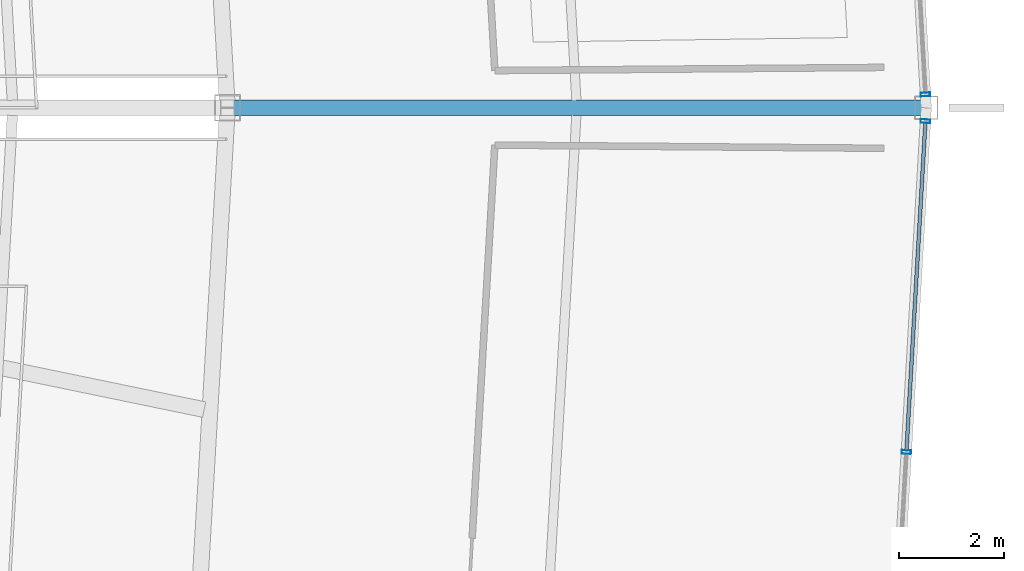
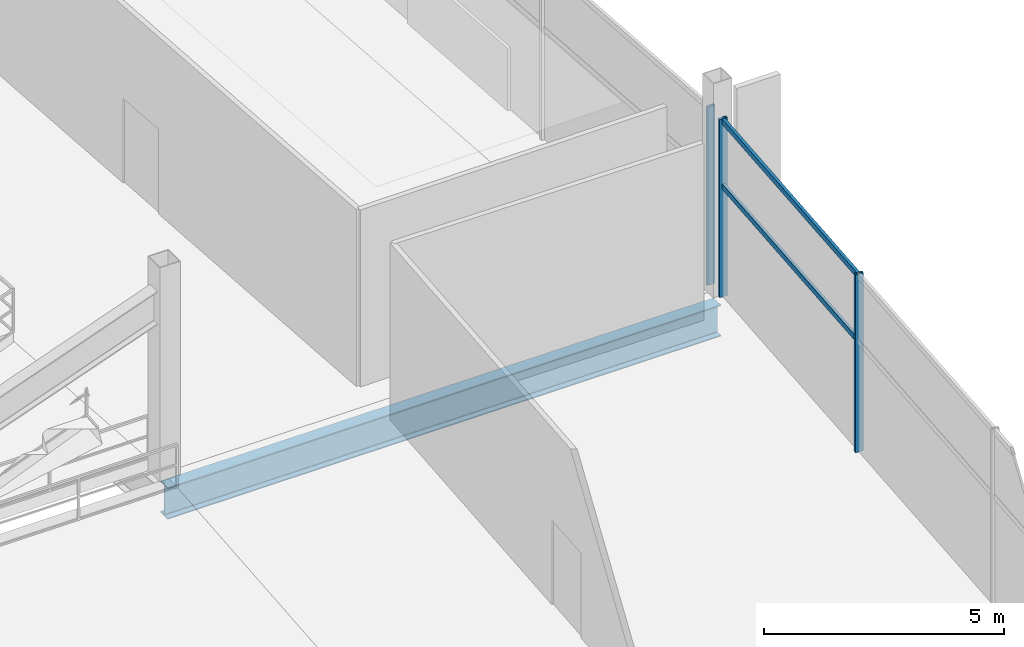
# One storey, part 73 of 186: 5 members, 1 beam, 2 elements without a shape of their own.
"""IFC4 building model written with IfcOpenShell, lengths in metres."""

from ifc_helpers import new_model, si_unit, direction, frame, origin, origin_2d, place, context, subcontext, project, spatial, hollow_rectangle, i_section, extrude, material, layer, layer_set, material_profile, profile_set, type_object, element, aggregate, save


model = new_model("IFC4")

# Units and contexts
model_context = context("Model", 3, precision=1e-05, world=origin(), true_north=direction((0.0, 1.0)))
body_context = subcontext(model_context, "Body", "Model", "MODEL_VIEW")
ifc_project = project(units=[si_unit("LENGTHUNIT", "METRE"), si_unit("AREAUNIT", "SQUARE_METRE"), si_unit("VOLUMEUNIT", "CUBIC_METRE"), si_unit("PLANEANGLEUNIT", "RADIAN"), si_unit("MASSUNIT", "GRAM", prefix="KILO")], contexts=[model_context])

# Site, building, storey
site_placement = place(None, origin())
site = spatial("IfcSite", under=ifc_project, at=site_placement, CompositionType="ELEMENT")
building_placement = place(site_placement, origin())
building = spatial("IfcBuilding", under=site, at=building_placement, Name="Kazemori Nagisa Stadium", CompositionType="ELEMENT")
storey_placement = place(building_placement, frame((0.0, 0.0, 20.39990234375)))
storey = spatial("IfcBuildingStorey", under=building, at=storey_placement, Name="L04", CompositionType="ELEMENT", Elevation=20.39990234375)

# Beam
ifc_material_1 = material(Name="Steel SN490B", Category="steel")
ifc_material_profile_1 = material_profile(ifc_material_1, i_section(OverallWidth=0.300048828125, OverallDepth=0.800048828125, WebThickness=0.013916015625, FlangeThickness=0.02587890625, FilletRadius=0.01806640625, at=origin_2d()), Name="H-800x300x14x26")
ifc_profile_set_1 = profile_set([ifc_material_profile_1], Name="Steel SN490B")
beam_type = type_object("IfcBeamType", Name="Beam_BG-H800", PredefinedType="BEAM", material=ifc_profile_set_1)
beam_placement = place(storey_placement, frame((204.699951171875, 102.0, -0.699951171875), z_axis=(1.0, 0.0, 0.0), x_axis=(0.0, 1.0, 0.0)))
element("IfcBeam", 1, at=beam_placement, inside=storey, type_object=beam_type, Name="Radial girder BG-H800 L04 R2-R3-01", PredefinedType="BEAM", context=body_context, shape_type="SweptSolid", body=[
    extrude(i_section(OverallWidth=0.300048828125, OverallDepth=0.800048828125, WebThickness=0.013916015625, FlangeThickness=0.02587890625, FilletRadius=0.01806640625, at=origin_2d()), origin(), (0.0, 0.0, 1.0), 13.300048828125),
])

# Curtain wall, member
ifc_material_2 = material(Name="Anodised aluminium 6063-T5", Category="aluminium")
ifc_layer = layer(ifc_material_2, 0.179931640625, Name="Anodised aluminium 6063-T5", Category="aluminium")
ifc_layer_set = layer_set([ifc_layer], Name="Anodised aluminium 6063-T5")
curtain_wall_type = type_object("IfcCurtainWallType", Name="CW_L04R3_95", PredefinedType="USERDEFINED", material=ifc_layer_set)
curtain_wall_1_placement = place(storey_placement, origin())
curtain_wall_1 = element("IfcCurtainWall", 2, at=curtain_wall_1_placement, inside=storey, type_object=curtain_wall_type, Name="Unitised curtain wall CW-L04R3-95 L04", ObjectType="UNITISED CURTAIN WALL", PredefinedType="USERDEFINED")
ifc_material_3 = material(Name="Aluminium 6063-T5 anodised", Category="aluminium")
ifc_material_profile_2 = material_profile(ifc_material_3, hollow_rectangle(XDim=0.070068359375, YDim=0.179931640625, WallThickness=0.00390625, at=origin_2d()), Name="ALU-MULL-70x180x4")
ifc_profile_set_2 = profile_set([ifc_material_profile_2], Name="Aluminium 6063-T5 anodised")
member_type_1 = type_object("IfcMemberType", Name="Mullion_M01", PredefinedType="MULLION", material=ifc_profile_set_2)
member_1_placement = place(storey_placement, frame((217.9853515625, 102.254638671875, 0.0), z_axis=(0.0, 0.0, 1.0), x_axis=(-0.057601670941, 0.998339645364, 0.0)))
member_1 = element("IfcMember", 3, at=member_1_placement, type_object=member_type_1, Name="Curtain wall mullion CW-L04R3-95-M1", PredefinedType="MULLION", context=body_context, shape_type="SweptSolid", body=[
    extrude(hollow_rectangle(XDim=0.070068359375, YDim=0.179931640625, WallThickness=0.00390625, at=origin_2d()), origin(), (0.0, 0.0, 1.0), 4.530029296875),
])
aggregate(curtain_wall_1, [member_1])

# Curtain wall, members
curtain_wall_2_placement = place(storey_placement, origin())
curtain_wall_2 = element("IfcCurtainWall", 4, at=curtain_wall_2_placement, inside=storey, type_object=curtain_wall_type, Name="Unitised curtain wall CW-L04R3-95 L04", ObjectType="UNITISED CURTAIN WALL", PredefinedType="USERDEFINED")
member_2_placement = place(storey_placement, frame((217.6220703125, 95.44921875, 0.0), z_axis=(0.0, 0.0, 1.0), x_axis=(0.057601670941, 0.998339645364, 0.0)))
member_2 = element("IfcMember", 5, at=member_2_placement, type_object=member_type_1, Name="Curtain wall mullion CW-L04R3-95-M3", PredefinedType="MULLION", context=body_context, shape_type="SweptSolid", body=[
    extrude(hollow_rectangle(XDim=0.070068359375, YDim=0.179931640625, WallThickness=0.00390625, at=origin_2d()), origin(), (0.0, 0.0, 1.0), 4.530029296875),
])
member_3_placement = place(storey_placement, frame((217.9853515625, 101.745361328125, 0.0), z_axis=(0.0, 0.0, 1.0), x_axis=(0.057601670941, 0.998339645364, 0.0)))
member_3 = element("IfcMember", 6, at=member_3_placement, type_object=member_type_1, Name="Curtain wall mullion CW-L04R3-95-M4", PredefinedType="MULLION", context=body_context, shape_type="SweptSolid", body=[
    extrude(hollow_rectangle(XDim=0.070068359375, YDim=0.179931640625, WallThickness=0.00390625, at=origin_2d()), origin(), (0.0, 0.0, 1.0), 4.530029296875),
])
ifc_material_profile_3 = material_profile(ifc_material_3, hollow_rectangle(XDim=0.070068359375, YDim=0.139892578125, WallThickness=0.00390625, at=origin_2d()), Name="ALU-TRAN-70x140x4")
ifc_profile_set_3 = profile_set([ifc_material_profile_3], Name="Aluminium 6063-T5 anodised")
member_type_2 = type_object("IfcMemberType", Name="Transom_T01", PredefinedType="USERDEFINED", material=ifc_profile_set_3)
member_4_placement = place(storey_placement, frame((217.623291015625, 95.46923828125, 2.80859375), z_axis=(0.057582347061, 0.998340760115, 0.0), x_axis=(-0.998340760115, 0.057582347061, 0.0)))
member_4 = element("IfcMember", 7, at=member_4_placement, type_object=member_type_2, Name="Curtain wall transom CW-L04R3-95-T3-mid", ObjectType="TRANSOM", PredefinedType="USERDEFINED", context=body_context, shape_type="SweptSolid", body=[
    extrude(hollow_rectangle(XDim=0.070068359375, YDim=0.139892578125, WallThickness=0.00390625, at=origin_2d()), origin(), (0.0, 0.0, 1.0), 6.2666015625),
])
member_5_placement = place(storey_placement, frame((217.623291015625, 95.46923828125, 4.460205078125), z_axis=(0.057582347061, 0.998340760115, 0.0), x_axis=(-0.998340760115, 0.057582347061, 0.0)))
member_5 = element("IfcMember", 8, at=member_5_placement, type_object=member_type_2, Name="Curtain wall transom CW-L04R3-95-T3-head", ObjectType="TRANSOM", PredefinedType="USERDEFINED", context=body_context, shape_type="SweptSolid", body=[
    extrude(hollow_rectangle(XDim=0.070068359375, YDim=0.139892578125, WallThickness=0.00390625, at=origin_2d()), origin(), (0.0, 0.0, 1.0), 6.2666015625),
])
aggregate(curtain_wall_2, [member_2, member_3, member_4, member_5])

save(model, "model.ifc")
